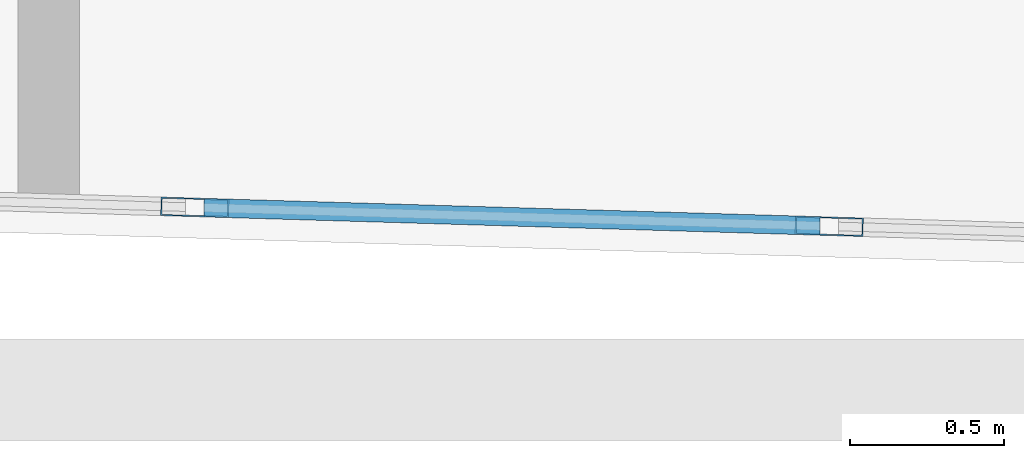
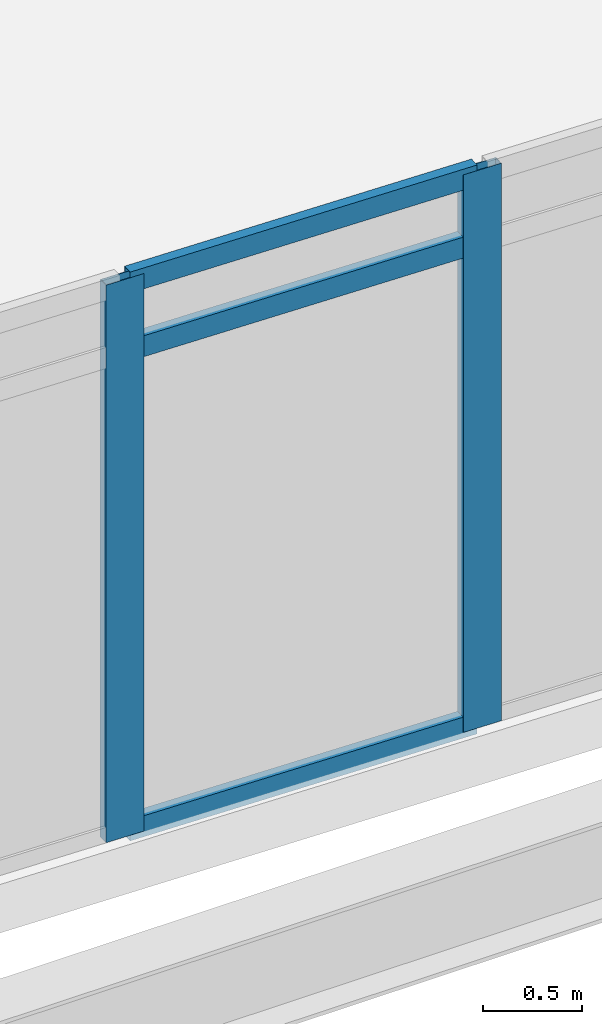
# One storey, part 5 of 37: 5 members, 1 element without a shape of its own.
"""IFC4 building model written with IfcOpenShell, lengths in metres."""

from ifc_helpers import new_model, si_unit, direction, frame, origin, origin_2d, place, context, subcontext, project, spatial, hollow_rectangle, extrude, material, material_profile, profile_set, type_object, element, aggregate, save


model = new_model("IFC4")

# Units and contexts
model_context = context("Model", 3, precision=1e-05, world=origin(), true_north=direction((0.0, 1.0)))
body_context = subcontext(model_context, "Body", "Model", "MODEL_VIEW")
ifc_project = project(units=[si_unit("LENGTHUNIT", "METRE"), si_unit("AREAUNIT", "SQUARE_METRE"), si_unit("VOLUMEUNIT", "CUBIC_METRE"), si_unit("PLANEANGLEUNIT", "RADIAN"), si_unit("MASSUNIT", "GRAM", prefix="KILO")], contexts=[model_context])

# Site, building, storey
site_placement = place(None, origin())
site = spatial("IfcSite", under=ifc_project, at=site_placement, CompositionType="ELEMENT")
building_placement = place(site_placement, origin())
building = spatial("IfcBuilding", under=site, at=building_placement, Name="Ostrander Bayou Hotel Tower", CompositionType="ELEMENT")
storey_placement = place(building_placement, frame((0.0, 0.0, 131.0)))
storey = spatial("IfcBuildingStorey", under=building, at=storey_placement, Name="L32", CompositionType="ELEMENT", Elevation=131.0)

# Curtain wall, members
ifc_material_1 = material(Name="Aluminium and clear glass", Category="aluminium")
curtain_wall_type = type_object("IfcCurtainWallType", Name="CW-BAR glazed wall", PredefinedType="NOTDEFINED", material=ifc_material_1)
curtain_wall_placement = place(storey_placement, origin())
curtain_wall = element("IfcCurtainWall", 1, at=curtain_wall_placement, inside=storey, type_object=curtain_wall_type, Name="CW-BAR L32:SB3S:T", PredefinedType="NOTDEFINED")
ifc_material_2 = material(Name="Aluminium", Category="aluminium")
ifc_material_profile_1 = material_profile(ifc_material_2, hollow_rectangle(XDim=0.06005859375, YDim=0.219970703125, WallThickness=0.00390625, at=origin_2d()))
ifc_profile_set_1 = profile_set([ifc_material_profile_1], Name="Aluminium")
member_type_1 = type_object("IfcMemberType", Name="CW-BR mullion 60 x 220 mm", PredefinedType="MULLION", material=ifc_profile_set_1)
member_1_placement = place(storey_placement, frame((-3.084716796875, -30.858154296875, 0.0), z_axis=(0.0, 0.0, 1.0), x_axis=(0.029746242041, 0.999557482631, 0.0)))
member_1 = element("IfcMember", 2, at=member_1_placement, type_object=member_type_1, Name="CW-BAR mullion 6", PredefinedType="MULLION", context=body_context, shape_type="SweptSolid", body=[
    extrude(hollow_rectangle(XDim=0.06005859375, YDim=0.219970703125, WallThickness=0.00390625, at=origin_2d()), origin(), (0.0, 0.0, 1.0), 3.449951171875),
])
member_2_placement = place(storey_placement, frame((-1.0283203125, -30.91943359375, 0.0), z_axis=(0.0, 0.0, 1.0), x_axis=(0.029746242041, 0.999557482631, 0.0)))
member_2 = element("IfcMember", 3, at=member_2_placement, type_object=member_type_1, Name="CW-BAR mullion 7", PredefinedType="MULLION", context=body_context, shape_type="SweptSolid", body=[
    extrude(hollow_rectangle(XDim=0.06005859375, YDim=0.219970703125, WallThickness=0.00390625, at=origin_2d()), origin(), (0.0, 0.0, 1.0), 3.449951171875),
])
ifc_material_3 = material(Name="Aluminium", Category="aluminium")
ifc_material_profile_2 = material_profile(ifc_material_3, hollow_rectangle(XDim=0.06005859375, YDim=0.1298828125, WallThickness=0.00390625, at=origin_2d()))
ifc_profile_set_2 = profile_set([ifc_material_profile_2], Name="Aluminium")
member_type_2 = type_object("IfcMemberType", Name="CW-BR transom 60 x 130 mm", PredefinedType="USERDEFINED", material=ifc_profile_set_2)
member_3_placement = place(storey_placement, frame((-3.0546875, -30.859130859375, 0.030029296875), z_axis=(0.999558727342, -0.029704386785, 0.0), x_axis=(0.029704386785, 0.999558727342, 0.0)))
member_3 = element("IfcMember", 4, at=member_3_placement, type_object=member_type_2, Name="CW-BAR transom 6.1", ObjectType="TRANSOM", PredefinedType="USERDEFINED", context=body_context, shape_type="SweptSolid", body=[
    extrude(hollow_rectangle(XDim=0.06005859375, YDim=0.1298828125, WallThickness=0.00390625, at=origin_2d()), origin(), (0.0, 0.0, 1.0), 1.997314453125),
])
member_4_placement = place(storey_placement, frame((-3.0546875, -30.859130859375, 3.0), z_axis=(0.999558727342, -0.029704386785, 0.0), x_axis=(0.029704386785, 0.999558727342, 0.0)))
member_4 = element("IfcMember", 5, at=member_4_placement, type_object=member_type_2, Name="CW-BAR transom 6.2", ObjectType="TRANSOM", PredefinedType="USERDEFINED", context=body_context, shape_type="SweptSolid", body=[
    extrude(hollow_rectangle(XDim=0.06005859375, YDim=0.1298828125, WallThickness=0.00390625, at=origin_2d()), origin(), (0.0, 0.0, 1.0), 1.997314453125),
])
member_5_placement = place(storey_placement, frame((-3.0546875, -30.859130859375, 3.419921875), z_axis=(0.999558727342, -0.029704386785, 0.0), x_axis=(0.029704386785, 0.999558727342, 0.0)))
member_5 = element("IfcMember", 6, at=member_5_placement, type_object=member_type_2, Name="CW-BAR transom 6.3", ObjectType="TRANSOM", PredefinedType="USERDEFINED", context=body_context, shape_type="SweptSolid", body=[
    extrude(hollow_rectangle(XDim=0.06005859375, YDim=0.1298828125, WallThickness=0.00390625, at=origin_2d()), origin(), (0.0, 0.0, 1.0), 1.997314453125),
])
aggregate(curtain_wall, [member_1, member_2, member_3, member_4, member_5])

save(model, "model.ifc")
